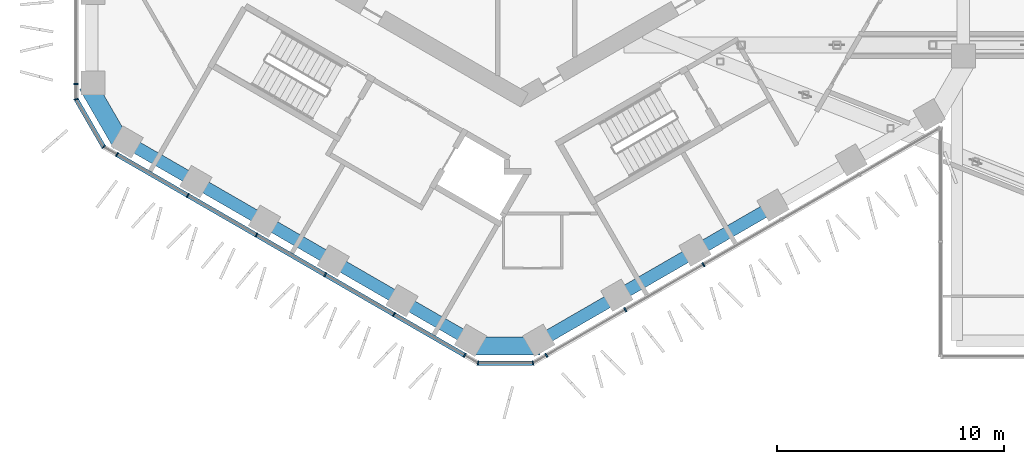
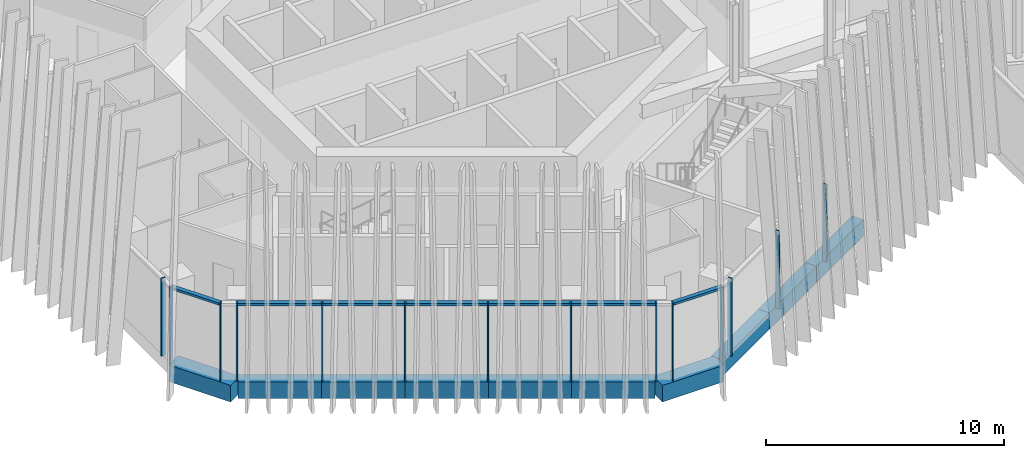
# One storey, part 2 of 28: 17 members, 10 beams, 5 elements without a shape of their own.
"""IFC4 building model written with IfcOpenShell, lengths in metres."""

from ifc_helpers import new_model, si_unit, direction, frame, origin, origin_2d, place, context, subcontext, project, spatial, rectangle, extrude, material, layer, layer_set, material_profile, profile_set, type_object, element, aggregate, save


model = new_model("IFC4")

# Units and contexts
model_context = context("Model", 3, precision=1e-05, world=origin(), true_north=direction((0.0, 1.0)))
body_context = subcontext(model_context, "Body", "Model", "MODEL_VIEW")
ifc_project = project(units=[si_unit("LENGTHUNIT", "METRE"), si_unit("AREAUNIT", "SQUARE_METRE"), si_unit("VOLUMEUNIT", "CUBIC_METRE"), si_unit("PLANEANGLEUNIT", "RADIAN"), si_unit("MASSUNIT", "GRAM", prefix="KILO")], contexts=[model_context])

# Site, building, storey
site_placement = place(None, origin())
site = spatial("IfcSite", under=ifc_project, at=site_placement, CompositionType="ELEMENT")
building_placement = place(site_placement, origin())
building = spatial("IfcBuilding", under=site, at=building_placement, Name="Ayvan Gate Tower", CompositionType="ELEMENT")
storey_placement = place(building_placement, frame((0.0, 0.0, 120.5)))
storey = spatial("IfcBuildingStorey", under=building, at=storey_placement, Name="L32", CompositionType="ELEMENT", Elevation=120.5)

# Beams
ifc_material_1 = material(Name="Concrete C40/50", Category="concrete")
ifc_material_profile_1 = material_profile(ifc_material_1, rectangle(XDim=0.800048828125, YDim=0.85009765625, at=origin_2d()), Name="RC 800x850")
ifc_profile_set_1 = profile_set([ifc_material_profile_1], Name="Concrete C40/50")
beam_type_1 = type_object("IfcBeamType", Name="Corner spandrel beam RC 800x850 C40/50", PredefinedType="BEAM", material=ifc_profile_set_1)
for number, where, z_axis, x_axis, name in (
    (1, (-19.03759765625, -9.99658203125, -0.824951171875), (0.499990139034, -0.866031096941, 0.0), (0.866031096941, 0.499990139034, 0.0), "SB-L32-24"),
    (2, (-2.138427734375, -21.4853515625, -0.824951171875), (1.0, 0.0, 0.0), (0.0, 1.0, 0.0), "SB-L32-30"),
):
    element("IfcBeam", number, at=place(storey_placement, frame(where, z_axis=z_axis, x_axis=x_axis)), inside=storey, type_object=beam_type_1, Name=name, PredefinedType="BEAM", context=body_context, shape_type="SweptSolid", body=[
        extrude(rectangle(XDim=0.800048828125, YDim=0.85009765625, at=origin_2d()), origin(), (0.0, 0.0, 1.0), 3.0),
    ])
ifc_material_profile_2 = material_profile(ifc_material_1, rectangle(XDim=0.550048828125, YDim=0.85009765625, at=origin_2d()), Name="RC 550x850")
ifc_profile_set_2 = profile_set([ifc_material_profile_2], Name="Concrete C40/50")
beam_type_2 = type_object("IfcBeamType", Name="Spandrel beam RC 550x850 C40/50", PredefinedType="BEAM", material=ifc_profile_set_2)
for number, where, z_axis, x_axis, name in (
    (3, (-17.34716796875, -12.484619140625, -0.824951171875), (0.866031634313, -0.499989208252, 0.0), (0.499989208252, 0.866031634313, 0.0), "SB-L32-25"),
    (4, (-14.305419921875, -14.24072265625, -0.824951171875), (0.866031634313, -0.499989208252, 0.0), (0.499989208252, 0.866031634313, 0.0), "SB-L32-26"),
):
    element("IfcBeam", number, at=place(storey_placement, frame(where, z_axis=z_axis, x_axis=x_axis)), inside=storey, type_object=beam_type_2, Name=name, PredefinedType="BEAM", context=body_context, shape_type="SweptSolid", body=[
        extrude(rectangle(XDim=0.550048828125, YDim=0.85009765625, at=origin_2d()), origin(), (0.0, 0.0, 1.0), 3.51220703125),
    ])
beam_placement = place(storey_placement, frame((-11.263671875, -15.996826171875, -0.824951171875), z_axis=(0.866001535283, -0.500041339179, 0.0), x_axis=(0.500041339179, 0.866001535283, 0.0)))
element("IfcBeam", 5, at=beam_placement, inside=storey, type_object=beam_type_2, Name="SB-L32-27", PredefinedType="BEAM", context=body_context, shape_type="SweptSolid", body=[
    extrude(rectangle(XDim=0.550048828125, YDim=0.85009765625, at=origin_2d()), origin(), (0.0, 0.0, 1.0), 3.512451171875),
])
for number, where, z_axis, x_axis, name in (
    (6, (-8.221923828125, -17.753173828125, -0.824951171875), (0.866031634313, -0.499989208252, 0.0), (0.499989208252, 0.866031634313, 0.0), "SB-L32-28"),
    (7, (-5.18017578125, -19.50927734375, -0.824951171875), (0.866031634313, -0.499989208252, 0.0), (0.499989208252, 0.866031634313, 0.0), "SB-L32-29"),
):
    element("IfcBeam", number, at=place(storey_placement, frame(where, z_axis=z_axis, x_axis=x_axis)), inside=storey, type_object=beam_type_2, Name=name, PredefinedType="BEAM", context=body_context, shape_type="SweptSolid", body=[
        extrude(rectangle(XDim=0.550048828125, YDim=0.85009765625, at=origin_2d()), origin(), (0.0, 0.0, 1.0), 3.51220703125),
    ])
for number, where, z_axis, x_axis, name in (
    (8, (0.861572265625, -21.265380859375, -0.824951171875), (0.866027263711, 0.4999967785, 0.0), (-0.4999967785, 0.866027263711, 0.0), "SB-L32-31"),
    (9, (4.286376953125, -19.2880859375, -0.824951171875), (0.866027263711, 0.4999967785, 0.0), (-0.4999967785, 0.866027263711, 0.0), "SB-L32-32"),
    (10, (7.711181640625, -17.310791015625, -0.824951171875), (0.866027263711, 0.4999967785, 0.0), (-0.4999967785, 0.866027263711, 0.0), "SB-L32-33"),
):
    element("IfcBeam", number, at=place(storey_placement, frame(where, z_axis=z_axis, x_axis=x_axis)), inside=storey, type_object=beam_type_2, Name=name, PredefinedType="BEAM", context=body_context, shape_type="SweptSolid", body=[
        extrude(rectangle(XDim=0.550048828125, YDim=0.85009765625, at=origin_2d()), origin(), (0.0, 0.0, 1.0), 3.95458984375),
    ])

# Curtain wall, member
ifc_material_2 = material(Name="Bronze anodised aluminium", Category="aluminium")
ifc_layer_1 = layer(ifc_material_2, 0.199951171875)
ifc_layer_set_1 = layer_set([ifc_layer_1], Name="Bronze anodised aluminium")
curtain_wall_type_1 = type_object("IfcCurtainWallType", Name="Stick curtain wall CW-1", PredefinedType="NOTDEFINED", material=ifc_layer_set_1)
curtain_wall_1_placement = place(storey_placement, origin())
curtain_wall_1 = element("IfcCurtainWall", 11, at=curtain_wall_1_placement, inside=storey, type_object=curtain_wall_type_1, Name="Stick curtain wall CW-1 L32", PredefinedType="NOTDEFINED")
ifc_material_profile_3 = material_profile(ifc_material_2, rectangle(XDim=0.199951171875, YDim=0.06005859375, at=origin_2d()), Name="Stick curtain wall CW-1 mullion 200 x 60")
ifc_profile_set_3 = profile_set([ifc_material_profile_3], Name="Bronze anodised aluminium")
member_type_1 = type_object("IfcMemberType", Name="Stick curtain wall CW-1 mullion 200 x 60", PredefinedType="MULLION", material=ifc_profile_set_3)
member_1_placement = place(storey_placement, frame((-19.53271484375, -9.95703125, 0.0), z_axis=(0.0, 0.0, 1.0), x_axis=(-1.0, 0.0, 0.0)))
member_1 = element("IfcMember", 12, at=member_1_placement, type_object=member_type_1, Name="CW-1 mullion 6", PredefinedType="MULLION", context=body_context, shape_type="SweptSolid", body=[
    extrude(rectangle(XDim=0.199951171875, YDim=0.06005859375, at=origin_2d()), origin(), (0.0, 0.0, 1.0), 4.0),
])
aggregate(curtain_wall_1, [member_1])

# Curtain wall, members
curtain_wall_2_placement = place(storey_placement, origin())
curtain_wall_2 = element("IfcCurtainWall", 13, at=curtain_wall_2_placement, inside=storey, type_object=curtain_wall_type_1, Name="Stick curtain wall CW-1 L32", PredefinedType="NOTDEFINED")
member_2_placement = place(storey_placement, frame((-17.736572265625, -13.068115234375, 0.0), z_axis=(0.0, 0.0, 1.0), x_axis=(-0.5, -0.866025403784, 0.0)))
member_2 = element("IfcMember", 14, at=member_2_placement, type_object=member_type_1, Name="CW-1 mullion 1", PredefinedType="MULLION", context=body_context, shape_type="SweptSolid", body=[
    extrude(rectangle(XDim=0.199951171875, YDim=0.06005859375, at=origin_2d()), origin(), (0.0, 0.0, 1.0), 4.0),
])
member_3_placement = place(storey_placement, frame((-14.625732421875, -14.864013671875, 0.0), z_axis=(0.0, 0.0, 1.0), x_axis=(-0.5, -0.866025403784, 0.0)))
member_3 = element("IfcMember", 15, at=member_3_placement, type_object=member_type_1, Name="CW-1 mullion 2", PredefinedType="MULLION", context=body_context, shape_type="SweptSolid", body=[
    extrude(rectangle(XDim=0.199951171875, YDim=0.06005859375, at=origin_2d()), origin(), (0.0, 0.0, 1.0), 4.0),
])
member_4_placement = place(storey_placement, frame((-11.603271484375, -16.609130859375, 0.0), z_axis=(0.0, 0.0, 1.0), x_axis=(-0.5, -0.866025403784, 0.0)))
member_4 = element("IfcMember", 16, at=member_4_placement, type_object=member_type_1, Name="CW-1 mullion 3", PredefinedType="MULLION", context=body_context, shape_type="SweptSolid", body=[
    extrude(rectangle(XDim=0.199951171875, YDim=0.06005859375, at=origin_2d()), origin(), (0.0, 0.0, 1.0), 4.0),
])
member_5_placement = place(storey_placement, frame((-8.581787109375, -18.353515625, 0.0), z_axis=(0.0, 0.0, 1.0), x_axis=(-0.5, -0.866025403784, 0.0)))
member_5 = element("IfcMember", 17, at=member_5_placement, type_object=member_type_1, Name="CW-1 mullion 4", PredefinedType="MULLION", context=body_context, shape_type="SweptSolid", body=[
    extrude(rectangle(XDim=0.199951171875, YDim=0.06005859375, at=origin_2d()), origin(), (0.0, 0.0, 1.0), 4.0),
])
member_6_placement = place(storey_placement, frame((-5.559326171875, -20.0986328125, 0.0), z_axis=(0.0, 0.0, 1.0), x_axis=(-0.5, -0.866025403784, 0.0)))
member_6 = element("IfcMember", 18, at=member_6_placement, type_object=member_type_1, Name="CW-1 mullion 5", PredefinedType="MULLION", context=body_context, shape_type="SweptSolid", body=[
    extrude(rectangle(XDim=0.199951171875, YDim=0.06005859375, at=origin_2d()), origin(), (0.0, 0.0, 1.0), 4.0),
])
member_7_placement = place(storey_placement, frame((-2.448974609375, -21.894287109375, 0.0), z_axis=(0.0, 0.0, 1.0), x_axis=(-0.5, -0.866025403784, 0.0)))
member_7 = element("IfcMember", 19, at=member_7_placement, type_object=member_type_1, Name="CW-1 mullion 6", PredefinedType="MULLION", context=body_context, shape_type="SweptSolid", body=[
    extrude(rectangle(XDim=0.199951171875, YDim=0.06005859375, at=origin_2d()), origin(), (0.0, 0.0, 1.0), 4.0),
])

curtain_wall_3_placement = place(storey_placement, origin())
curtain_wall_3 = element("IfcCurtainWall", 20, at=curtain_wall_3_placement, inside=storey, type_object=curtain_wall_type_1, Name="Stick curtain wall CW-1 L32", PredefinedType="NOTDEFINED")
member_8_placement = place(storey_placement, frame((1.143310546875, -21.894287109375, 0.0), z_axis=(0.0, 0.0, 1.0), x_axis=(0.5, -0.866025403784, 0.0)))
member_8 = element("IfcMember", 21, at=member_8_placement, type_object=member_type_1, Name="CW-1 mullion 1", PredefinedType="MULLION", context=body_context, shape_type="SweptSolid", body=[
    extrude(rectangle(XDim=0.199951171875, YDim=0.06005859375, at=origin_2d()), origin(), (0.0, 0.0, 1.0), 4.0),
])
member_9_placement = place(storey_placement, frame((4.614501953125, -19.890380859375, 0.0), z_axis=(0.0, 0.0, 1.0), x_axis=(0.5, -0.866025403784, 0.0)))
member_9 = element("IfcMember", 22, at=member_9_placement, type_object=member_type_1, Name="CW-1 mullion 2", PredefinedType="MULLION", context=body_context, shape_type="SweptSolid", body=[
    extrude(rectangle(XDim=0.199951171875, YDim=0.06005859375, at=origin_2d()), origin(), (0.0, 0.0, 1.0), 4.0),
])
member_10_placement = place(storey_placement, frame((8.049072265625, -17.907470703125, 0.0), z_axis=(0.0, 0.0, 1.0), x_axis=(0.5, -0.866025403784, 0.0)))
member_10 = element("IfcMember", 23, at=member_10_placement, type_object=member_type_1, Name="CW-1 mullion 3", PredefinedType="MULLION", context=body_context, shape_type="SweptSolid", body=[
    extrude(rectangle(XDim=0.199951171875, YDim=0.06005859375, at=origin_2d()), origin(), (0.0, 0.0, 1.0), 4.0),
])
aggregate(curtain_wall_3, [member_8, member_9, member_10])

# Member
ifc_material_profile_4 = material_profile(ifc_material_2, rectangle(XDim=0.199951171875, YDim=0.1201171875, at=origin_2d()), Name="Stick curtain wall CW-1 transom 200 x 120")
ifc_profile_set_4 = profile_set([ifc_material_profile_4], Name="Bronze anodised aluminium")
member_type_2 = type_object("IfcMemberType", Name="Stick curtain wall CW-1 transom 200 x 120", PredefinedType="USERDEFINED", material=ifc_profile_set_4)
member_11_placement = place(storey_placement, frame((-17.736572265625, -13.068115234375, 3.93994140625), z_axis=(0.866028512846, -0.499994614909, 0.0), x_axis=(0.499994614909, 0.866028512846, 0.0)))
member_11 = element("IfcMember", 24, at=member_11_placement, type_object=member_type_2, Name="CW-1 transom 1", ObjectType="TRANSOM", PredefinedType="USERDEFINED", context=body_context, shape_type="SweptSolid", body=[
    extrude(rectangle(XDim=0.199951171875, YDim=0.1201171875, at=origin_2d()), origin(), (0.0, 0.0, 1.0), 17.652587890625),
])

aggregate(curtain_wall_2, [member_2, member_3, member_4, member_5, member_6, member_7, member_11])

# Curtain wall, members
ifc_layer_2 = layer(ifc_material_2, 0.199951171875)
ifc_layer_set_2 = layer_set([ifc_layer_2], Name="Bronze anodised aluminium")
curtain_wall_type_2 = type_object("IfcCurtainWallType", Name="Stick curtain wall CW-6", PredefinedType="NOTDEFINED", material=ifc_layer_set_2)
curtain_wall_4_placement = place(storey_placement, origin())
curtain_wall_4 = element("IfcCurtainWall", 25, at=curtain_wall_4_placement, inside=storey, type_object=curtain_wall_type_2, Name="Stick curtain wall CW-6 L32", PredefinedType="NOTDEFINED")
ifc_material_profile_5 = material_profile(ifc_material_2, rectangle(XDim=0.199951171875, YDim=0.050048828125, at=origin_2d()), Name="Stick curtain wall CW-6 mullion 200 x 50")
ifc_profile_set_5 = profile_set([ifc_material_profile_5], Name="Bronze anodised aluminium")
member_type_3 = type_object("IfcMemberType", Name="Stick curtain wall CW-6 mullion 200 x 50", PredefinedType="MULLION", material=ifc_profile_set_5)
member_12_placement = place(storey_placement, frame((-19.53271484375, -10.636962890625, 0.0), z_axis=(0.0, 0.0, 1.0), x_axis=(-0.965925826289, -0.258819045103, 0.0)))
member_12 = element("IfcMember", 26, at=member_12_placement, type_object=member_type_3, Name="CW-6 mullion 2", PredefinedType="MULLION", context=body_context, shape_type="SweptSolid", body=[
    extrude(rectangle(XDim=0.199951171875, YDim=0.050048828125, at=origin_2d()), origin(), (0.0, 0.0, 1.0), 4.0),
])
member_13_placement = place(storey_placement, frame((-18.325439453125, -12.72802734375, 0.0), z_axis=(0.0, 0.0, 1.0), x_axis=(-0.707106781187, -0.707106781187, 0.0)))
member_13 = element("IfcMember", 27, at=member_13_placement, type_object=member_type_3, Name="CW-6 mullion 3", PredefinedType="MULLION", context=body_context, shape_type="SweptSolid", body=[
    extrude(rectangle(XDim=0.199951171875, YDim=0.050048828125, at=origin_2d()), origin(), (0.0, 0.0, 1.0), 4.0),
])

curtain_wall_5_placement = place(storey_placement, origin())
curtain_wall_5 = element("IfcCurtainWall", 28, at=curtain_wall_5_placement, inside=storey, type_object=curtain_wall_type_2, Name="Stick curtain wall CW-6 L32", PredefinedType="NOTDEFINED")
member_14_placement = place(storey_placement, frame((-1.860107421875, -22.234375, 0.0), z_axis=(0.0, 0.0, 1.0), x_axis=(-0.258819045103, -0.965925826289, 0.0)))
member_14 = element("IfcMember", 29, at=member_14_placement, type_object=member_type_3, Name="CW-6 mullion 2", PredefinedType="MULLION", context=body_context, shape_type="SweptSolid", body=[
    extrude(rectangle(XDim=0.199951171875, YDim=0.050048828125, at=origin_2d()), origin(), (0.0, 0.0, 1.0), 4.0),
])
member_15_placement = place(storey_placement, frame((0.554443359375, -22.234375, 0.0), z_axis=(0.0, 0.0, 1.0), x_axis=(0.258819045103, -0.965925826289, 0.0)))
member_15 = element("IfcMember", 30, at=member_15_placement, type_object=member_type_3, Name="CW-6 mullion 3", PredefinedType="MULLION", context=body_context, shape_type="SweptSolid", body=[
    extrude(rectangle(XDim=0.199951171875, YDim=0.050048828125, at=origin_2d()), origin(), (0.0, 0.0, 1.0), 4.0),
])

# Member
ifc_material_profile_6 = material_profile(ifc_material_2, rectangle(XDim=0.199951171875, YDim=0.1201171875, at=origin_2d()), Name="Stick curtain wall CW-6 transom 200 x 120")
ifc_profile_set_6 = profile_set([ifc_material_profile_6], Name="Bronze anodised aluminium")
member_type_4 = type_object("IfcMemberType", Name="Stick curtain wall CW-6 transom 200 x 120", PredefinedType="USERDEFINED", material=ifc_profile_set_6)
member_16_placement = place(storey_placement, frame((-19.520263671875, -10.65869140625, 3.93994140625), z_axis=(0.500059108572, -0.865991274745, 0.0), x_axis=(0.865991274745, 0.500059108572, 0.0)))
member_16 = element("IfcMember", 31, at=member_16_placement, type_object=member_type_4, Name="CW-6 transom 2", ObjectType="TRANSOM", PredefinedType="USERDEFINED", context=body_context, shape_type="SweptSolid", body=[
    extrude(rectangle(XDim=0.199951171875, YDim=0.1201171875, at=origin_2d()), origin(), (0.0, 0.0, 1.0), 2.364501953125),
])

aggregate(curtain_wall_4, [member_12, member_13, member_16])

member_17_placement = place(storey_placement, frame((-1.835205078125, -22.234375, 3.93994140625), z_axis=(1.0, 0.0, 0.0), x_axis=(0.0, 1.0, 0.0)))
member_17 = element("IfcMember", 32, at=member_17_placement, type_object=member_type_4, Name="CW-6 transom 2", ObjectType="TRANSOM", PredefinedType="USERDEFINED", context=body_context, shape_type="SweptSolid", body=[
    extrude(rectangle(XDim=0.199951171875, YDim=0.1201171875, at=origin_2d()), origin(), (0.0, 0.0, 1.0), 2.36474609375),
])

aggregate(curtain_wall_5, [member_14, member_15, member_17])

save(model, "model.ifc")
